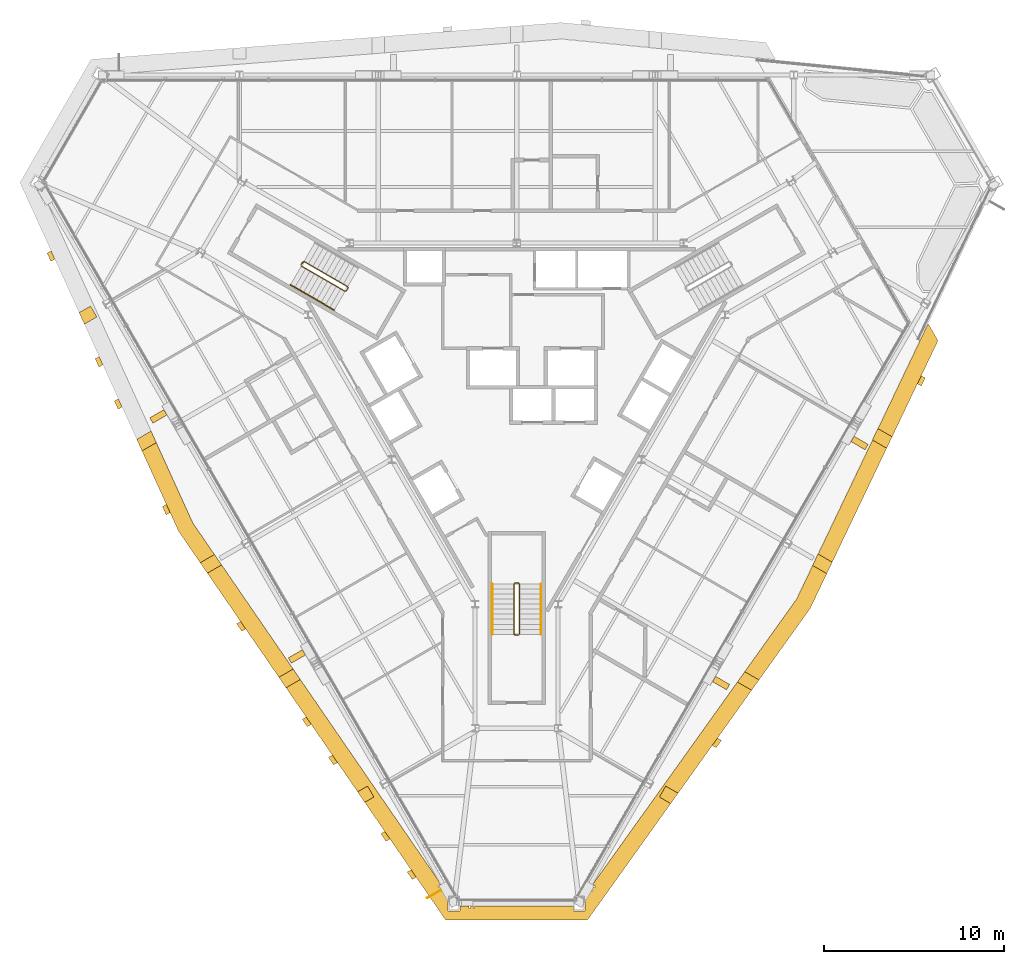
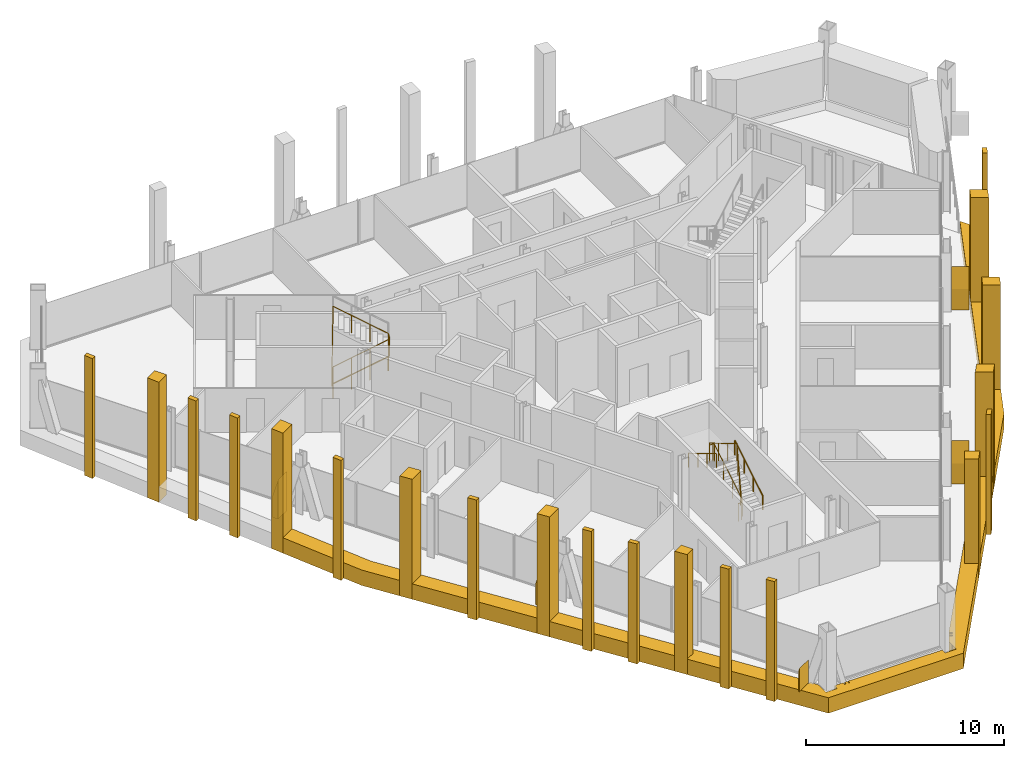
# One storey, part 12 of 13: 31 coverings, 5 railings.
"""IFC4 building model written with IfcOpenShell, lengths in metres."""

from ifc_helpers import new_model, si_unit, direction, frame, origin, origin_2d, place, context, subcontext, project, spatial, polyline, circle, outline, extrude, material, layer, layer_set, type_object, element, save


model = new_model("IFC4")

# Units and contexts
model_context = context("Model", 3, precision=1e-05, world=origin(), true_north=direction((0.0, 1.0)))
body_context = subcontext(model_context, "Body", "Model", "MODEL_VIEW")
ifc_project = project(units=[si_unit("LENGTHUNIT", "METRE"), si_unit("AREAUNIT", "SQUARE_METRE"), si_unit("VOLUMEUNIT", "CUBIC_METRE"), si_unit("PLANEANGLEUNIT", "RADIAN"), si_unit("MASSUNIT", "GRAM", prefix="KILO")], contexts=[model_context])

# Site, building, storey
site_placement = place(None, origin())
site = spatial("IfcSite", under=ifc_project, at=site_placement, CompositionType="ELEMENT")
building_placement = place(site_placement, origin())
building = spatial("IfcBuilding", under=site, at=building_placement, Name="Verrane Prism Tower", CompositionType="ELEMENT")
storey_placement = place(building_placement, frame((0.0, 0.0, 171.0)))
storey = spatial("IfcBuildingStorey", under=building, at=storey_placement, Name="L42", CompositionType="ELEMENT", Elevation=171.0)

# Railings
ifc_material_1 = material(Name="Steel A36 rail and posts, no infill", Category="steel")
railing_type_1 = type_object("IfcRailingType", Name="Stair guard 1100 steel rail and posts", PredefinedType="GUARDRAIL", material=ifc_material_1)
railing_1_placement = place(storey_placement, frame((-11.939453125, 6.72021484375, 0.168212890625)))
element("IfcRailing", 1, at=railing_1_placement, inside=storey, type_object=railing_type_1, Name="Stair 2 guard", PredefinedType="GUARDRAIL", context=body_context, shape_type="SweptSolid", body=[
    extrude(circle(Radius=0.02392578125, at=origin_2d()), frame((0.0, 0.0, 1.076171875), z_axis=(0.742366697286, -0.42866220388, 0.514917859203), x_axis=(0.500049511043, 0.865996816683, 0.0)), (0.0, 0.0, 1.0), 3.266357421875),
    extrude(circle(Radius=0.02392578125, at=origin_2d()), frame((2.4248046875, -1.400146484375, 2.7578125), z_axis=(0.965948051503, 0.258736085224, 0.0), x_axis=(-0.258736085224, 0.965948051503, 0.0)), (0.0, 0.0, 1.0), 0.07080078125),
    extrude(circle(Radius=0.02392578125, at=origin_2d()), frame((2.4931640625, -1.3818359375, 2.7578125), z_axis=(0.499158860599, 0.866510491504, 0.0), x_axis=(-0.866510491504, 0.499158860599, 0.0)), (0.0, 0.0, 1.0), 0.199951171875),
    extrude(circle(Radius=0.02392578125, at=origin_2d()), frame((2.593017578125, -1.20849609375, 2.7578125), z_axis=(-0.10050964758, 0.373895888998, 0.922008500467), x_axis=(-0.965715946433, -0.259601060869, 0.0)), (0.0, 0.0, 1.0), 0.18212890625),
    extrude(circle(Radius=0.02392578125, at=origin_2d()), frame((2.57470703125, -1.140380859375, 2.92578125), z_axis=(-0.742366697286, 0.42866220388, 0.514917859203), x_axis=(-0.500049511043, -0.865996816683, 0.0)), (0.0, 0.0, 1.0), 3.266357421875),
    extrude(circle(Radius=0.02392578125, at=origin_2d()), frame((0.14990234375, 0.259765625, 4.60791015625), z_axis=(-0.04535595117, -0.051675503147, -0.99763343973), x_axis=(0.751567565678, -0.659656118156, 0.0)), (0.0, 0.0, 1.0), 3.708740234375),
    extrude(circle(Radius=0.02392578125, at=origin_2d()), frame((-0.018310546875, 0.068115234375, 0.90771484375), z_axis=(0.499158860599, 0.866510491504, 0.0), x_axis=(-0.866510491504, 0.499158860599, 0.0)), (0.0, 0.0, 1.0), 0.199951171875),
    extrude(circle(Radius=0.02099609375, at=origin_2d()), origin(), (0.0, 0.0, 1.0), 1.052001953125),
    extrude(circle(Radius=0.02099609375, at=origin_2d()), frame((0.808349609375, -0.466796875, 0.560546875)), (0.0, 0.0, 1.0), 1.052001953125),
    extrude(circle(Radius=0.02099609375, at=origin_2d()), frame((1.616455078125, -0.933349609375, 1.121337890625)), (0.0, 0.0, 1.0), 1.052001953125),
    extrude(circle(Radius=0.02099609375, at=origin_2d()), frame((2.4248046875, -1.400146484375, 1.681884765625)), (0.0, 0.0, 1.0), 1.052001953125),
    extrude(circle(Radius=0.02099609375, at=origin_2d()), frame((2.4931640625, -1.3818359375, 1.681884765625)), (0.0, 0.0, 1.0), 1.052001953125),
    extrude(circle(Radius=0.02099609375, at=origin_2d()), frame((2.593017578125, -1.20849609375, 1.681884765625)), (0.0, 0.0, 1.0), 1.052001953125),
    extrude(circle(Radius=0.02099609375, at=origin_2d()), frame((2.57470703125, -1.140380859375, 1.849853515625)), (0.0, 0.0, 1.0), 1.052001953125),
    extrude(circle(Radius=0.02099609375, at=origin_2d()), frame((1.766357421875, -0.673583984375, 2.410400390625)), (0.0, 0.0, 1.0), 1.052001953125),
    extrude(circle(Radius=0.02099609375, at=origin_2d()), frame((0.958251953125, -0.20703125, 2.97119140625)), (0.0, 0.0, 1.0), 1.052001953125),
    extrude(circle(Radius=0.02099609375, at=origin_2d()), frame((0.14990234375, 0.259765625, 3.53173828125)), (0.0, 0.0, 1.0), 1.052001953125),
    extrude(circle(Radius=0.02099609375, at=origin_2d()), frame((0.10791015625, 0.2119140625, 2.606689453125)), (0.0, 0.0, 1.0), 1.052001953125),
    extrude(circle(Radius=0.02099609375, at=origin_2d()), frame((0.06591796875, 0.1640625, 1.681640625)), (0.0, 0.0, 1.0), 1.052001953125),
    extrude(circle(Radius=0.02099609375, at=origin_2d()), frame((0.023681640625, 0.115966796875, 0.7568359375)), (0.0, 0.0, 1.0), 1.052001953125),
    extrude(circle(Radius=0.02099609375, at=origin_2d()), frame((-0.018310546875, 0.068115234375, -0.168212890625)), (0.0, 0.0, 1.0), 1.052001953125),
    extrude(circle(Radius=0.02099609375, at=origin_2d()), frame((0.08154296875, 0.241455078125, -0.168212890625)), (0.0, 0.0, 1.0), 1.052001953125),
])
railing_2_placement = place(storey_placement, frame((0.14990234375, -13.699951171875, 0.168212890625)))
element("IfcRailing", 2, at=railing_2_placement, inside=storey, type_object=railing_type_1, Name="Stair 3 guard", PredefinedType="GUARDRAIL", context=body_context, shape_type="SweptSolid", body=[
    extrude(circle(Radius=0.02392578125, at=origin_2d()), frame((0.0, 0.0, 1.076171875), z_axis=(0.0, 0.857242210791, 0.514913383045), x_axis=(-1.0, 0.0, 0.0)), (0.0, 0.0, 1.0), 3.266357421875),
    extrude(circle(Radius=0.02392578125, at=origin_2d()), frame((0.0, 2.800048828125, 2.7578125), z_axis=(-0.707106781187, 0.707106781187, 0.0), x_axis=(-0.707106781187, -0.707106781187, 0.0)), (0.0, 0.0, 1.0), 0.0703125),
    extrude(circle(Radius=0.02392578125, at=origin_2d()), frame((-0.0498046875, 2.849853515625, 2.7578125), z_axis=(-1.0, 0.0, 0.0), x_axis=(0.0, -1.0, 0.0)), (0.0, 0.0, 1.0), 0.2001953125),
    extrude(circle(Radius=0.02392578125, at=origin_2d()), frame((-0.25, 2.849853515625, 2.7578125), z_axis=(-0.273443704961, -0.273443704961, 0.922202299083), x_axis=(0.707106781187, -0.707106781187, 0.0)), (0.0, 0.0, 1.0), 0.18212890625),
    extrude(circle(Radius=0.02392578125, at=origin_2d()), frame((-0.2998046875, 2.800048828125, 2.92578125), z_axis=(0.0, -0.857242210791, 0.514913383045), x_axis=(1.0, 0.0, 0.0)), (0.0, 0.0, 1.0), 3.266357421875),
    extrude(circle(Radius=0.02392578125, at=origin_2d()), frame((-0.2998046875, 0.0, 4.60791015625), z_axis=(0.067408604812, -0.013494886706, -0.997634185476), x_axis=(0.196300278283, 0.98054382908, 0.0)), (0.0, 0.0, 1.0), 3.708740234375),
    extrude(circle(Radius=0.02392578125, at=origin_2d()), frame((-0.0498046875, -0.050048828125, 0.90771484375), z_axis=(-1.0, 0.0, 0.0), x_axis=(0.0, -1.0, 0.0)), (0.0, 0.0, 1.0), 0.2001953125),
    extrude(circle(Radius=0.02099609375, at=origin_2d()), origin(), (0.0, 0.0, 1.0), 1.052001953125),
    extrude(circle(Radius=0.02099609375, at=origin_2d()), frame((0.0, 0.933349609375, 0.560546875)), (0.0, 0.0, 1.0), 1.052001953125),
    extrude(circle(Radius=0.02099609375, at=origin_2d()), frame((0.0, 1.86669921875, 1.121337890625)), (0.0, 0.0, 1.0), 1.052001953125),
    extrude(circle(Radius=0.02099609375, at=origin_2d()), frame((0.0, 2.800048828125, 1.681884765625)), (0.0, 0.0, 1.0), 1.052001953125),
    extrude(circle(Radius=0.02099609375, at=origin_2d()), frame((-0.0498046875, 2.849853515625, 1.681884765625)), (0.0, 0.0, 1.0), 1.052001953125),
    extrude(circle(Radius=0.02099609375, at=origin_2d()), frame((-0.25, 2.849853515625, 1.681884765625)), (0.0, 0.0, 1.0), 1.052001953125),
    extrude(circle(Radius=0.02099609375, at=origin_2d()), frame((-0.2998046875, 2.800048828125, 1.849853515625)), (0.0, 0.0, 1.0), 1.052001953125),
    extrude(circle(Radius=0.02099609375, at=origin_2d()), frame((-0.2998046875, 1.86669921875, 2.410400390625)), (0.0, 0.0, 1.0), 1.052001953125),
    extrude(circle(Radius=0.02099609375, at=origin_2d()), frame((-0.2998046875, 0.933349609375, 2.97119140625)), (0.0, 0.0, 1.0), 1.052001953125),
    extrude(circle(Radius=0.02099609375, at=origin_2d()), frame((-0.2998046875, 0.0, 3.53173828125)), (0.0, 0.0, 1.0), 1.052001953125),
    extrude(circle(Radius=0.02099609375, at=origin_2d()), frame((-0.2373046875, -0.012451171875, 2.606689453125)), (0.0, 0.0, 1.0), 1.052001953125),
    extrude(circle(Radius=0.02099609375, at=origin_2d()), frame((-0.1748046875, -0.02490234375, 1.681640625)), (0.0, 0.0, 1.0), 1.052001953125),
    extrude(circle(Radius=0.02099609375, at=origin_2d()), frame((-0.1123046875, -0.03759765625, 0.7568359375)), (0.0, 0.0, 1.0), 1.052001953125),
    extrude(circle(Radius=0.02099609375, at=origin_2d()), frame((-0.0498046875, -0.050048828125, -0.168212890625)), (0.0, 0.0, 1.0), 1.052001953125),
    extrude(circle(Radius=0.02099609375, at=origin_2d()), frame((-0.25, -0.050048828125, -0.168212890625)), (0.0, 0.0, 1.0), 1.052001953125),
])
ifc_material_2 = material(Name="Steel A36 tube", Category="steel")
railing_type_2 = type_object("IfcRailingType", Name="Stair handrail 900 steel tube", PredefinedType="HANDRAIL", material=ifc_material_2)
railing_3_placement = place(storey_placement, frame((-12.53955078125, 5.680908203125, 0.168212890625)))
element("IfcRailing", 3, at=railing_3_placement, inside=storey, type_object=railing_type_2, Name="Stair 2 handrail", PredefinedType="HANDRAIL", context=body_context, shape_type="SweptSolid", body=[
    extrude(circle(Radius=0.02392578125, at=origin_2d()), frame((0.0, 0.0, 0.8759765625), z_axis=(0.742366697286, -0.42866220388, 0.514917859203), x_axis=(0.500049511043, 0.865996816683, 0.0)), (0.0, 0.0, 1.0), 3.266357421875),
    extrude(circle(Radius=0.02099609375, at=origin_2d()), origin(), (0.0, 0.0, 1.0), 0.851806640625),
    extrude(circle(Radius=0.02099609375, at=origin_2d()), frame((0.808349609375, -0.466796875, 0.560546875)), (0.0, 0.0, 1.0), 0.851806640625),
    extrude(circle(Radius=0.02099609375, at=origin_2d()), frame((1.616455078125, -0.933349609375, 1.121337890625)), (0.0, 0.0, 1.0), 0.851806640625),
    extrude(circle(Radius=0.02099609375, at=origin_2d()), frame((2.4248046875, -1.400146484375, 1.681884765625)), (0.0, 0.0, 1.0), 0.851806640625),
])
railing_4_placement = place(storey_placement, frame((1.35009765625, -13.699951171875, 0.168212890625)))
element("IfcRailing", 4, at=railing_4_placement, inside=storey, type_object=railing_type_2, Name="Stair 3 handrail", PredefinedType="HANDRAIL", context=body_context, shape_type="SweptSolid", body=[
    extrude(circle(Radius=0.02392578125, at=origin_2d()), frame((0.0, 0.0, 0.8759765625), z_axis=(0.0, 0.857242210791, 0.514913383045), x_axis=(-1.0, 0.0, 0.0)), (0.0, 0.0, 1.0), 3.266357421875),
    extrude(circle(Radius=0.02099609375, at=origin_2d()), origin(), (0.0, 0.0, 1.0), 0.851806640625),
    extrude(circle(Radius=0.02099609375, at=origin_2d()), frame((0.0, 0.933349609375, 0.560546875)), (0.0, 0.0, 1.0), 0.851806640625),
    extrude(circle(Radius=0.02099609375, at=origin_2d()), frame((0.0, 1.86669921875, 1.121337890625)), (0.0, 0.0, 1.0), 0.851806640625),
    extrude(circle(Radius=0.02099609375, at=origin_2d()), frame((0.0, 2.800048828125, 1.681884765625)), (0.0, 0.0, 1.0), 0.851806640625),
])
railing_5_placement = place(storey_placement, frame((-1.35009765625, -10.89990234375, 2.01806640625)))
element("IfcRailing", 5, at=railing_5_placement, inside=storey, type_object=railing_type_2, Name="Stair 3 handrail", PredefinedType="HANDRAIL", context=body_context, shape_type="SweptSolid", body=[
    extrude(circle(Radius=0.02392578125, at=origin_2d()), frame((0.0, 0.0, 0.8759765625), z_axis=(0.0, -0.857242210791, 0.514913383045), x_axis=(1.0, 0.0, 0.0)), (0.0, 0.0, 1.0), 3.266357421875),
    extrude(circle(Radius=0.02099609375, at=origin_2d()), origin(), (0.0, 0.0, 1.0), 0.851806640625),
    extrude(circle(Radius=0.02099609375, at=origin_2d()), frame((0.0, -0.933349609375, 0.560546875)), (0.0, 0.0, 1.0), 0.851806640625),
    extrude(circle(Radius=0.02099609375, at=origin_2d()), frame((0.0, -1.86669921875, 1.121337890625)), (0.0, 0.0, 1.0), 0.851806640625),
    extrude(circle(Radius=0.02099609375, at=origin_2d()), frame((0.0, -2.800048828125, 1.681884765625)), (0.0, 0.0, 1.0), 0.851806640625),
])

# Coverings
ifc_material_3 = material(Name="Warm limestone cladding", Category="masonry")
ifc_layer_1 = layer(ifc_material_3, 0.89990234375)
ifc_layer_set_1 = layer_set([ifc_layer_1], Name="Stone brace fin 900")
covering_type_1 = type_object("IfcCoveringType", Name="Stone brace fin 900", PredefinedType="CLADDING", material=ifc_layer_set_1)
covering_1_placement = place(storey_placement, frame((-19.950927734375, -1.466796875, 0.0), z_axis=(0.0, 0.0, 1.0), x_axis=(0.500277597875, -0.865865073245, 0.0)))
element("IfcCovering", 6, at=covering_1_placement, inside=storey, type_object=covering_type_1, Name="Stone brace fin SW2 L42", PredefinedType="CLADDING", context=body_context, shape_type="SweptSolid", body=[
    extrude(outline(polyline([(0.0, 0.0), (0.342529296875, 0.0), (0.342529296875, 2.438720703125), (0.0, 1.283203125), (0.0, 0.0)])), frame((0.0, 0.449951171875, 0.0), z_axis=(0.0, -1.0, 0.0), x_axis=(1.0, 0.0, 0.0)), (0.0, 0.0, 1.0), 0.89990234375),
])
covering_2_placement = place(storey_placement, frame((-12.27099609375, -14.77490234375, 0.0), z_axis=(0.0, 0.0, 1.0), x_axis=(0.499126482225, -0.866529142465, 0.0)))
element("IfcCovering", 7, at=covering_2_placement, inside=storey, type_object=covering_type_1, Name="Stone brace fin SW4 L42", PredefinedType="CLADDING", context=body_context, shape_type="SweptSolid", body=[
    extrude(outline(polyline([(0.0, 0.0), (0.343017578125, 0.0), (0.343017578125, 2.438720703125), (0.0, 1.283203125), (0.0, 0.0)])), frame((0.0, 0.449951171875, 0.0), z_axis=(0.0, -1.0, 0.0), x_axis=(1.0, 0.0, 0.0)), (0.0, 0.0, 1.0), 0.89990234375),
])
covering_3_placement = place(storey_placement, frame((-4.5908203125, -28.07666015625, 0.0), z_axis=(0.0, 0.0, 1.0), x_axis=(0.500625085174, -0.86566420978, 0.0)))
element("IfcCovering", 8, at=covering_3_placement, inside=storey, type_object=covering_type_1, Name="Stone brace fin SW6 L42", PredefinedType="CLADDING", context=body_context, shape_type="SweptSolid", body=[
    extrude(outline(polyline([(0.0, 0.0), (0.046630859375, 0.0), (0.046630859375, 1.44091796875), (0.0, 1.283203125), (0.0, 0.0)])), frame((0.0, 0.449951171875, 0.0), z_axis=(0.0, -1.0, 0.0), x_axis=(1.0, 0.0, 0.0)), (0.0, 0.0, 1.0), 0.89990234375),
])
for number, where, z_axis, x_axis, name in (
    (9, (11.24853515625, -16.54736328125, 0.0), (0.0, 0.0, 1.0), (0.500277597875, 0.865865073245, 0.0), "Stone brace fin SE2 L42"),
    (10, (18.928466796875, -3.2373046875, 0.0), (0.0, 0.0, 1.0), (0.500277597875, 0.865865073245, 0.0), "Stone brace fin SE4 L42"),
):
    element("IfcCovering", number, at=place(storey_placement, frame(where, z_axis=z_axis, x_axis=x_axis)), inside=storey, type_object=covering_type_1, Name=name, PredefinedType="CLADDING", context=body_context, shape_type="SweptSolid", body=[
        extrude(outline(polyline([(0.0, 0.0), (0.342529296875, 0.0), (0.342529296875, 2.438720703125), (0.0, 1.283203125), (0.0, 0.0)])), frame((0.0, 0.449951171875, 0.0), z_axis=(0.0, -1.0, 0.0), x_axis=(1.0, 0.0, 0.0)), (0.0, 0.0, 1.0), 0.89990234375),
    ])
ifc_material_4 = material(Name="Warm limestone cladding", Category="masonry")
covering_type_2 = type_object("IfcCoveringType", Name="Stone mullion pier 500", PredefinedType="CLADDING", material=ifc_material_4)
covering_4_placement = place(storey_placement, frame((0.0, 0.0, -0.949951171875)))
element("IfcCovering", 11, at=covering_4_placement, inside=storey, type_object=covering_type_2, Name="Stone pier SM-SW0.1 L42-L43", PredefinedType="CLADDING", context=body_context, shape_type="SweptSolid", body=[
    extrude(outline(polyline([(-25.60498046875, 7.10595703125), (-25.81298828125, 7.563232421875), (-26.030517578125, 7.437744140625), (-25.822509765625, 6.98046875), (-25.60498046875, 7.10595703125)])), origin(), (0.0, 0.0, 1.0), 7.39990234375),
])
covering_5_placement = place(storey_placement, frame((0.0, 0.0, -0.949951171875)))
element("IfcCovering", 12, at=covering_5_placement, inside=storey, type_object=covering_type_2, Name="Stone pier SM-SW1.1 L42-L43", PredefinedType="CLADDING", context=body_context, shape_type="SweptSolid", body=[
    extrude(outline(polyline([(-22.9423828125, 1.250732421875), (-23.150390625, 1.7080078125), (-23.367919921875, 1.58251953125), (-23.159912109375, 1.125), (-22.9423828125, 1.250732421875)])), origin(), (0.0, 0.0, 1.0), 7.39990234375),
])
covering_6_placement = place(storey_placement, frame((0.0, 0.0, -0.949951171875)))
element("IfcCovering", 13, at=covering_6_placement, inside=storey, type_object=covering_type_2, Name="Stone pier SM-SW1.2 L42-L43", PredefinedType="CLADDING", context=body_context, shape_type="SweptSolid", body=[
    extrude(outline(polyline([(-21.87744140625, -1.091552734375), (-22.08544921875, -0.63427734375), (-22.302978515625, -0.759765625), (-22.094970703125, -1.217041015625), (-21.87744140625, -1.091552734375)])), origin(), (0.0, 0.0, 1.0), 7.39990234375),
])
covering_7_placement = place(storey_placement, frame((0.0, 0.0, -0.949951171875)))
element("IfcCovering", 14, at=covering_7_placement, inside=storey, type_object=covering_type_2, Name="Stone pier SM-SW2.1 L42-L43", PredefinedType="CLADDING", context=body_context, shape_type="SweptSolid", body=[
    extrude(outline(polyline([(-19.21484375, -6.947021484375), (-19.4228515625, -6.489501953125), (-19.640380859375, -6.615234375), (-19.4326171875, -7.072509765625), (-19.21484375, -6.947021484375)])), origin(), (0.0, 0.0, 1.0), 7.39990234375),
])
covering_8_placement = place(storey_placement, frame((0.0, 0.0, -0.949951171875)))
element("IfcCovering", 15, at=covering_8_placement, inside=storey, type_object=covering_type_2, Name="Stone pier SM-SW3.1 L42-L43", PredefinedType="CLADDING", context=body_context, shape_type="SweptSolid", body=[
    extrude(outline(polyline([(-15.022705078125, -13.397705078125), (-15.306884765625, -12.984375), (-15.52392578125, -13.109619140625), (-15.239990234375, -13.523193359375), (-15.022705078125, -13.397705078125)])), origin(), (0.0, 0.0, 1.0), 7.39990234375),
])
covering_9_placement = place(storey_placement, frame((0.0, 0.0, -0.949951171875)))
element("IfcCovering", 16, at=covering_9_placement, inside=storey, type_object=covering_type_2, Name="Stone pier SM-SW4.1 L42-L43", PredefinedType="CLADDING", context=body_context, shape_type="SweptSolid", body=[
    extrude(outline(polyline([(-11.386962890625, -18.691162109375), (-11.6708984375, -18.277587890625), (-11.88818359375, -18.403076171875), (-11.604248046875, -18.81640625), (-11.386962890625, -18.691162109375)])), origin(), (0.0, 0.0, 1.0), 7.39990234375),
])
covering_10_placement = place(storey_placement, frame((0.0, 0.0, -0.949951171875)))
element("IfcCovering", 17, at=covering_10_placement, inside=storey, type_object=covering_type_2, Name="Stone pier SM-SW4.2 L42-L43", PredefinedType="CLADDING", context=body_context, shape_type="SweptSolid", body=[
    extrude(outline(polyline([(-9.9326171875, -20.80859375), (-10.216552734375, -20.39501953125), (-10.433837890625, -20.5205078125), (-10.14990234375, -20.933837890625), (-9.9326171875, -20.80859375)])), origin(), (0.0, 0.0, 1.0), 7.39990234375),
])
covering_11_placement = place(storey_placement, frame((0.0, 0.0, -0.949951171875)))
element("IfcCovering", 18, at=covering_11_placement, inside=storey, type_object=covering_type_2, Name="Stone pier SM-SW5.1 L42-L43", PredefinedType="CLADDING", context=body_context, shape_type="SweptSolid", body=[
    extrude(outline(polyline([(-7.024169921875, -25.043212890625), (-7.30810546875, -24.6298828125), (-7.525146484375, -24.755126953125), (-7.2412109375, -25.168701171875), (-7.024169921875, -25.043212890625)])), origin(), (0.0, 0.0, 1.0), 7.39990234375),
])
covering_12_placement = place(storey_placement, frame((0.0, 0.0, -0.949951171875)))
element("IfcCovering", 19, at=covering_12_placement, inside=storey, type_object=covering_type_2, Name="Stone pier SM-SW5.2 L42-L43", PredefinedType="CLADDING", context=body_context, shape_type="SweptSolid", body=[
    extrude(outline(polyline([(-5.569580078125, -27.16064453125), (-5.853515625, -26.747314453125), (-6.07080078125, -26.87255859375), (-5.786865234375, -27.285888671875), (-5.569580078125, -27.16064453125)])), origin(), (0.0, 0.0, 1.0), 7.39990234375),
])
covering_13_placement = place(storey_placement, frame((0.0, 0.0, -0.949951171875)))
element("IfcCovering", 20, at=covering_13_placement, inside=storey, type_object=covering_type_2, Name="Stone pier SM-SE1.1 L42-L43", PredefinedType="CLADDING", context=body_context, shape_type="SweptSolid", body=[
    extrude(outline(polyline([(11.135986328125, -19.447509765625), (10.843994140625, -19.856201171875), (11.0615234375, -19.981689453125), (11.353515625, -19.572998046875), (11.135986328125, -19.447509765625)])), origin(), (0.0, 0.0, 1.0), 7.39990234375),
])
covering_14_placement = place(storey_placement, frame((0.0, 0.0, -0.949951171875)))
element("IfcCovering", 21, at=covering_14_placement, inside=storey, type_object=covering_type_2, Name="Stone pier SM-SE4.1 L42-L43", PredefinedType="CLADDING", context=body_context, shape_type="SweptSolid", body=[
    extrude(outline(polyline([(22.43359375, 0.643310546875), (22.2177734375, 0.190673828125), (22.434814453125, 0.065185546875), (22.65087890625, 0.517822265625), (22.43359375, 0.643310546875)])), origin(), (0.0, 0.0, 1.0), 7.39990234375),
])
ifc_material_5 = material(Name="Warm limestone cladding", Category="masonry")
covering_type_3 = type_object("IfcCoveringType", Name="Stone pier 700", PredefinedType="CLADDING", material=ifc_material_5)
covering_15_placement = place(storey_placement, frame((0.0, 0.0, -0.949951171875)))
element("IfcCovering", 22, at=covering_15_placement, inside=storey, type_object=covering_type_3, Name="Stone pier PC-SW1 L42-L43", PredefinedType="CLADDING", context=body_context, shape_type="SweptSolid", body=[
    extrude(outline(polyline([(-23.276123046875, 3.899658203125), (-23.33740234375, 4.005859375), (-23.626220703125, 4.505859375), (-24.257080078125, 4.1416015625), (-23.9658203125, 3.50146484375), (-23.276123046875, 3.899658203125)])), origin(), (0.0, 0.0, 1.0), 7.39990234375),
])
covering_16_placement = place(storey_placement, frame((0.0, 0.0, -0.949951171875)))
element("IfcCovering", 23, at=covering_16_placement, inside=storey, type_object=covering_type_3, Name="Stone pier PC-SW2 L42-L43", PredefinedType="CLADDING", context=body_context, shape_type="SweptSolid", body=[
    extrude(outline(polyline([(-20.770751953125, -3.525146484375), (-19.979248046875, -3.068115234375), (-20.270263671875, -2.427978515625), (-21.06201171875, -2.885009765625), (-20.770751953125, -3.525146484375)])), origin(), (0.0, 0.0, 1.0), 7.39990234375),
])
covering_17_placement = place(storey_placement, frame((0.0, 0.0, -0.949951171875)))
element("IfcCovering", 24, at=covering_17_placement, inside=storey, type_object=covering_type_3, Name="Stone pier PC-SW3 L42-L43", PredefinedType="CLADDING", context=body_context, shape_type="SweptSolid", body=[
    extrude(outline(polyline([(-17.147705078125, -10.30419921875), (-16.357177734375, -9.847900390625), (-16.7548828125, -9.269287109375), (-17.545166015625, -9.7255859375), (-17.147705078125, -10.30419921875)])), origin(), (0.0, 0.0, 1.0), 7.39990234375),
])
covering_18_placement = place(storey_placement, frame((0.0, 0.0, -0.949951171875)))
element("IfcCovering", 25, at=covering_18_placement, inside=storey, type_object=covering_type_3, Name="Stone pier PC-SW4 L42-L43", PredefinedType="CLADDING", context=body_context, shape_type="SweptSolid", body=[
    extrude(outline(polyline([(-12.78466796875, -16.656494140625), (-11.994384765625, -16.2001953125), (-12.391845703125, -15.621337890625), (-13.18212890625, -16.07763671875), (-12.78466796875, -16.656494140625)])), origin(), (0.0, 0.0, 1.0), 7.39990234375),
])
covering_19_placement = place(storey_placement, frame((0.0, 0.0, -0.949951171875)))
element("IfcCovering", 26, at=covering_19_placement, inside=storey, type_object=covering_type_3, Name="Stone pier PC-SW5 L42-L43", PredefinedType="CLADDING", context=body_context, shape_type="SweptSolid", body=[
    extrude(outline(polyline([(-7.916259765625, -22.716796875), (-8.09130859375, -22.413818359375), (-8.26611328125, -22.110595703125), (-8.819091796875, -22.4296875), (-8.42138671875, -23.008544921875), (-7.916259765625, -22.716796875)])), origin(), (0.0, 0.0, 1.0), 7.39990234375),
])
covering_20_placement = place(storey_placement, frame((0.0, 0.0, -0.949951171875)))
element("IfcCovering", 27, at=covering_20_placement, inside=storey, type_object=covering_type_3, Name="Stone pier PC-SE1 L42-L43", PredefinedType="CLADDING", context=body_context, shape_type="SweptSolid", body=[
    extrude(outline(polyline([(8.26611328125, -22.110595703125), (8.072509765625, -22.44580078125), (7.916259765625, -22.716796875), (8.541748046875, -23.077880859375), (8.95068359375, -22.505859375), (8.26611328125, -22.110595703125)])), origin(), (0.0, 0.0, 1.0), 7.39990234375),
])
covering_21_placement = place(storey_placement, frame((0.0, 0.0, -0.949951171875)))
element("IfcCovering", 28, at=covering_21_placement, inside=storey, type_object=covering_type_3, Name="Stone pier PC-SE2 L42-L43", PredefinedType="CLADDING", context=body_context, shape_type="SweptSolid", body=[
    extrude(outline(polyline([(13.438232421875, -16.2255859375), (12.646484375, -15.7685546875), (12.23779296875, -16.3408203125), (13.029296875, -16.797607421875), (13.438232421875, -16.2255859375)])), origin(), (0.0, 0.0, 1.0), 7.39990234375),
])
covering_22_placement = place(storey_placement, frame((0.0, 0.0, -0.949951171875)))
element("IfcCovering", 29, at=covering_22_placement, inside=storey, type_object=covering_type_3, Name="Stone pier PC-SE3 L42-L43", PredefinedType="CLADDING", context=body_context, shape_type="SweptSolid", body=[
    extrude(outline(polyline([(17.49755859375, -9.697998046875), (16.707275390625, -9.24169921875), (16.40478515625, -9.87548828125), (17.195068359375, -10.331787109375), (17.49755859375, -9.697998046875)])), origin(), (0.0, 0.0, 1.0), 7.39990234375),
])
covering_23_placement = place(storey_placement, frame((0.0, 0.0, -0.949951171875)))
element("IfcCovering", 30, at=covering_23_placement, inside=storey, type_object=covering_type_3, Name="Stone pier PC-SE4 L42-L43", PredefinedType="CLADDING", context=body_context, shape_type="SweptSolid", body=[
    extrude(outline(polyline([(20.817138671875, -2.74365234375), (20.02685546875, -2.287353515625), (19.724365234375, -2.9208984375), (20.5146484375, -3.377197265625), (20.817138671875, -2.74365234375)])), origin(), (0.0, 0.0, 1.0), 7.39990234375),
])
ifc_material_6 = material(Name="Warm limestone cladding", Category="masonry")
ifc_layer_2 = layer(ifc_material_6, 0.449951171875)
ifc_layer_set_2 = layer_set([ifc_layer_2], Name="Stone spandrel band 450")
covering_type_4 = type_object("IfcCoveringType", Name="Stone spandrel band 450", PredefinedType="CLADDING", material=ifc_layer_set_2)
covering_24_placement = place(storey_placement, frame((0.0, 0.0, -0.949951171875)))
element("IfcCovering", 31, at=covering_24_placement, inside=storey, type_object=covering_type_4, Name="Stone spandrel band L42 part 1", PredefinedType="CLADDING", context=body_context, shape_type="SweptSolid", body=[
    extrude(outline(polyline([(3.93505859375, -29.52490234375), (8.541748046875, -23.077880859375), (7.916259765625, -22.716796875), (8.26611328125, -22.110595703125), (8.95068359375, -22.505859375), (13.029296875, -16.797607421875), (12.23779296875, -16.3408203125), (4.268798828125, -27.492919921875), (4.22021484375, -27.577392578125), (4.364501953125, -27.66064453125), (4.315673828125, -27.745361328125), (4.171142578125, -27.661865234375), (4.096435546875, -27.791259765625), (4.240966796875, -27.874755859375), (4.194091796875, -27.9560546875), (4.049560546875, -27.87255859375), (3.800048828125, -28.304931640625), (3.800048828125, -28.6015625), (3.81591796875, -28.61083984375), (3.800048828125, -28.638427734375), (3.800048828125, -29.0400390625), (3.139892578125, -29.0400390625), (3.139892578125, -28.748291015625), (-2.341552734375, -28.748291015625), (-2.341552734375, -28.909912109375), (-2.3994140625, -28.909912109375), (-2.3994140625, -28.748291015625), (-2.557861328125, -28.748291015625), (-2.557861328125, -28.909912109375), (-2.649658203125, -28.909912109375), (-2.649658203125, -28.748291015625), (-3.139892578125, -28.748291015625), (-3.139892578125, -29.0400390625), (-3.800048828125, -29.0400390625), (-3.800048828125, -28.638427734375), (-3.81591796875, -28.61083984375), (-3.800048828125, -28.6015625), (-3.800048828125, -28.304931640625), (-4.049560546875, -27.87255859375), (-4.194091796875, -27.9560546875), (-4.240966796875, -27.874755859375), (-4.096435546875, -27.791259765625), (-4.171142578125, -27.661865234375), (-4.315673828125, -27.745361328125), (-4.364501953125, -27.66064453125), (-4.22021484375, -27.577392578125), (-4.432861328125, -27.208984375), (-11.994384765625, -16.2001953125), (-12.78466796875, -16.656494140625), (-8.819091796875, -22.4296875), (-8.26611328125, -22.110595703125), (-7.916259765625, -22.716796875), (-8.42138671875, -23.008544921875), (-3.94580078125, -29.52490234375), (3.93505859375, -29.52490234375)])), origin(), (0.0, 0.0, 1.0), 0.949951171875),
])
covering_25_placement = place(storey_placement, frame((0.0, 0.0, -0.949951171875)))
element("IfcCovering", 32, at=covering_25_placement, inside=storey, type_object=covering_type_4, Name="Stone spandrel band L42 part 3", PredefinedType="CLADDING", context=body_context, shape_type="SweptSolid", body=[
    extrude(outline(polyline([(-17.545166015625, -9.7255859375), (-16.7548828125, -9.269287109375), (-17.9521484375, -7.52587890625), (-19.979248046875, -3.068115234375), (-20.770751953125, -3.525146484375), (-18.747314453125, -7.97509765625), (-17.545166015625, -9.7255859375)])), origin(), (0.0, 0.0, 1.0), 0.949951171875),
])
covering_26_placement = place(storey_placement, frame((0.0, 0.0, -0.949951171875)))
element("IfcCovering", 33, at=covering_26_placement, inside=storey, type_object=covering_type_4, Name="Stone spandrel band L42 part 4", PredefinedType="CLADDING", context=body_context, shape_type="SweptSolid", body=[
    extrude(outline(polyline([(-12.391845703125, -15.621337890625), (-16.357177734375, -9.847900390625), (-17.147705078125, -10.30419921875), (-13.18212890625, -16.07763671875), (-12.391845703125, -15.621337890625)])), origin(), (0.0, 0.0, 1.0), 0.949951171875),
])
covering_27_placement = place(storey_placement, frame((0.0, 0.0, -0.949951171875)))
element("IfcCovering", 34, at=covering_27_placement, inside=storey, type_object=covering_type_4, Name="Stone spandrel band L42 part 5", PredefinedType="CLADDING", context=body_context, shape_type="SweptSolid", body=[
    extrude(outline(polyline([(12.646484375, -15.7685546875), (13.438232421875, -16.2255859375), (16.280517578125, -12.248046875), (17.195068359375, -10.331787109375), (16.413330078125, -9.880615234375), (15.481201171875, -11.83349609375), (15.464111328125, -11.825439453125), (12.646484375, -15.7685546875)])), origin(), (0.0, 0.0, 1.0), 0.949951171875),
])
covering_28_placement = place(storey_placement, frame((0.0, 0.0, -0.949951171875)))
element("IfcCovering", 35, at=covering_28_placement, inside=storey, type_object=covering_type_4, Name="Stone spandrel band L42 part 7", PredefinedType="CLADDING", context=body_context, shape_type="SweptSolid", body=[
    extrude(outline(polyline([(16.7158203125, -9.246826171875), (17.49755859375, -9.697998046875), (20.5146484375, -3.377197265625), (19.73291015625, -2.92578125), (16.7158203125, -9.246826171875)])), origin(), (0.0, 0.0, 1.0), 0.949951171875),
])
covering_29_placement = place(storey_placement, frame((0.0, 0.0, -0.949951171875)))
element("IfcCovering", 36, at=covering_29_placement, inside=storey, type_object=covering_type_4, Name="Stone spandrel band L42 part 9", PredefinedType="CLADDING", context=body_context, shape_type="SweptSolid", body=[
    extrude(outline(polyline([(20.035400390625, -2.292236328125), (20.817138671875, -2.74365234375), (23.361328125, 2.58642578125), (22.8154296875, 3.531982421875), (20.035400390625, -2.292236328125)])), origin(), (0.0, 0.0, 1.0), 0.949951171875),
])

save(model, "model.ifc")
